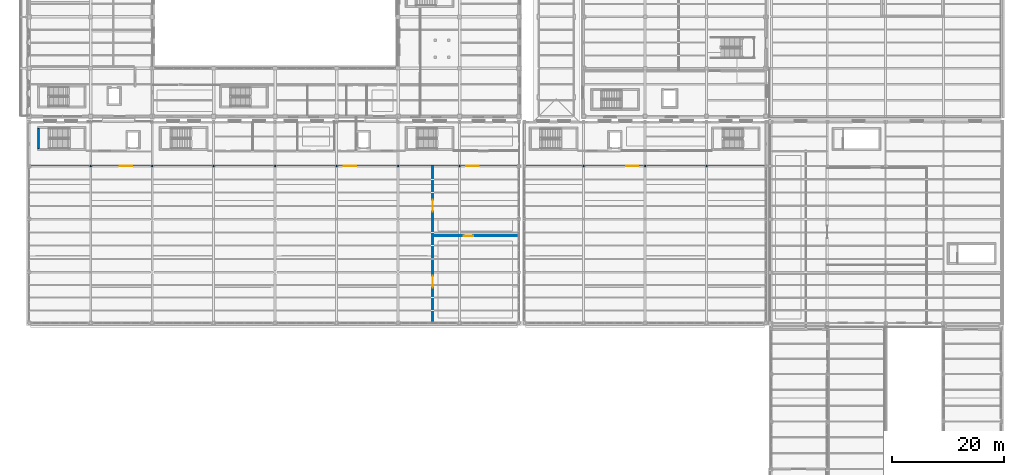
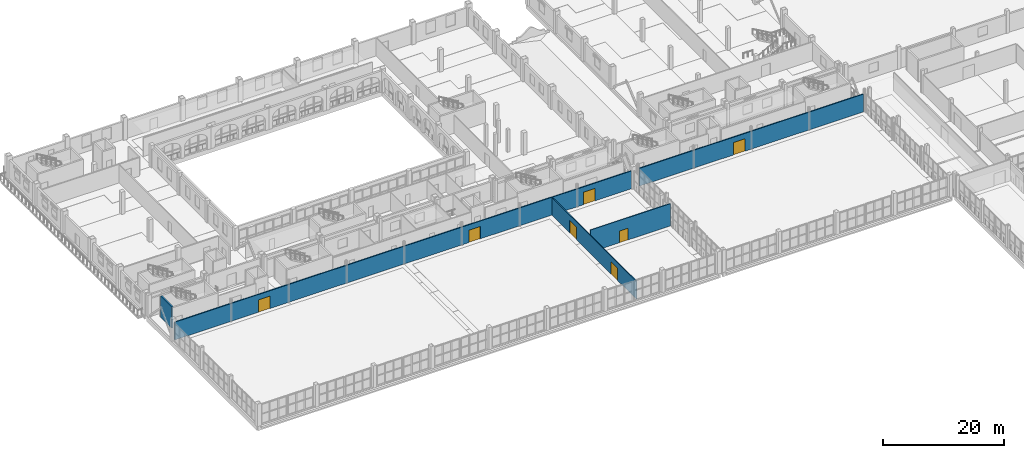
# One storey, part 120 of 156: 7 doors, 5 walls, 7 openings.
"""IFC4 building model written with IfcOpenShell, lengths in metres."""

from ifc_helpers import new_model, si_unit, direction, frame, frame_2d, origin, place, context, subcontext, project, spatial, rectangle, extrude, material, layer, layer_set, type_object, element, fill, save


model = new_model("IFC4")

# Units and contexts
model_context = context("Model", 3, precision=1e-05, world=origin(), true_north=direction((0.0, 1.0)))
body_context = subcontext(model_context, "Body", "Model", "MODEL_VIEW")
ifc_project = project(units=[si_unit("LENGTHUNIT", "METRE"), si_unit("AREAUNIT", "SQUARE_METRE"), si_unit("VOLUMEUNIT", "CUBIC_METRE"), si_unit("PLANEANGLEUNIT", "RADIAN"), si_unit("MASSUNIT", "GRAM", prefix="KILO")], contexts=[model_context])

# Site, building, storey
site_placement = place(None, origin())
site = spatial("IfcSite", under=ifc_project, at=site_placement, CompositionType="ELEMENT")
building_placement = place(site_placement, origin())
building = spatial("IfcBuilding", under=site, at=building_placement, Name="Caurita Quay Ferry Terminal", CompositionType="ELEMENT")
storey_placement = place(building_placement, frame((0.0, 0.0, 5.39990234375)))
storey = spatial("IfcBuildingStorey", under=building, at=storey_placement, Name="L01", CompositionType="ELEMENT", Elevation=5.39990234375)

# Wall
ifc_material_1 = material(Name="Reinforced concrete C35/45", Category="concrete")
ifc_layer_1 = layer(ifc_material_1, 0.300048828125, Name="Interior shear wall 300 mm")
ifc_layer_set_1 = layer_set([ifc_layer_1], Name="Reinforced concrete C35/45")
wall_type_1 = type_object("IfcWallType", Name="WL-CORE-300", PredefinedType="SHEAR", material=ifc_layer_set_1)
wall_1_placement = place(storey_placement, frame((1.64990234375, 69.4599609375, 0.0), z_axis=(0.0, 0.0, 1.0), x_axis=(0.0, -1.0, 0.0)))
element("IfcWall", 1, at=wall_1_placement, inside=storey, type_object=wall_type_1, Name="L01 ST-05 Core Wall West", PredefinedType="SHEAR", context=body_context, shape_type="SweptSolid", body=[
    extrude(rectangle(XDim=3.659912109375, YDim=0.300048828125, at=frame_2d((1.830078125, 0.0))), origin(), (0.0, 0.0, 1.0), 4.280029296875),
])

# Wall, openings, doors
ifc_material_2 = material(Name="Warm-white lime stucco masonry", Category="masonry")
ifc_layer_2 = layer(ifc_material_2, 0.199951171875, Name="Interior partitioning wall 200 mm")
ifc_layer_set_2 = layer_set([ifc_layer_2], Name="Warm-white lime stucco masonry")
wall_type_2 = type_object("IfcWallType", Name="WL-CORR-200", PredefinedType="PARTITIONING", material=ifc_layer_set_2)
wall_2_placement = place(storey_placement, frame((0.259033203125, 62.699951171875, 0.0), z_axis=(0.0, 0.0, 1.0), x_axis=(1.0, 0.0, 0.0)))
wall_2 = element("IfcWall", 2, at=wall_2_placement, inside=storey, type_object=wall_type_2, Name="L01 Interior Partition IW-L01-037", PredefinedType="PARTITIONING", context=body_context, shape_type="SweptSolid", body=[
    extrude(rectangle(XDim=87.08203125, YDim=0.199951171875, at=frame_2d((43.541015625, 0.0))), origin(), (0.0, 0.0, 1.0), 3.592041015625),
])
opening_1_placement = place(wall_2_placement, frame((15.94091796875, 0.0, 0.0)))
opening_1 = element("IfcOpeningElement", 3, at=opening_1_placement, cuts=wall_2, Name="Opening ID-01", PredefinedType="OPENING", context=body_context, shape_type="SweptSolid", body=[
    extrude(rectangle(XDim=2.199951171875, YDim=2.5, at=frame_2d((1.10009765625, 1.25))), frame((0.0, 0.10986328125, 0.0), z_axis=(0.0, -1.0, 0.0), x_axis=(1.0, 0.0, 0.0)), (0.0, 0.0, 1.0), 0.219970703125),
])
opening_2_placement = place(wall_2_placement, frame((56.041015625, 0.0, 0.0)))
opening_2 = element("IfcOpeningElement", 4, at=opening_2_placement, cuts=wall_2, Name="Opening ID-01", PredefinedType="OPENING", context=body_context, shape_type="SweptSolid", body=[
    extrude(rectangle(XDim=2.199951171875, YDim=2.5, at=frame_2d((1.10009765625, 1.25))), frame((0.0, 0.10986328125, 0.0), z_axis=(0.0, -1.0, 0.0), x_axis=(1.0, 0.0, 0.0)), (0.0, 0.0, 1.0), 0.219970703125),
])
opening_3_placement = place(wall_2_placement, frame((77.94091796875, 0.0, 0.0)))
opening_3 = element("IfcOpeningElement", 5, at=opening_3_placement, cuts=wall_2, Name="Opening ID-01", PredefinedType="OPENING", context=body_context, shape_type="SweptSolid", body=[
    extrude(rectangle(XDim=2.199951171875, YDim=2.5, at=frame_2d((1.10009765625, 1.25))), frame((0.0, 0.10986328125, 0.0), z_axis=(0.0, -1.0, 0.0), x_axis=(1.0, 0.0, 0.0)), (0.0, 0.0, 1.0), 0.219970703125),
])
ifc_material_3 = material(Name="Anodized aluminium 6063-T6", Category="aluminium")
door_type_1 = type_object("IfcDoorType", Name="DR-HALL-2200", OperationType="NOTDEFINED", PredefinedType="DOOR", material=ifc_material_3)
door_1_placement = place(opening_1_placement, origin())
door_1 = element("IfcDoor", 6, at=door_1_placement, inside=storey, type_object=door_type_1, Name="Main Concourse Corridor Portal", OperationType="SINGLE_SWING_LEFT", OverallHeight=2.5, OverallWidth=2.199951171875, PredefinedType="DOOR", context=body_context, shape_type="SweptSolid", body=[
    extrude(rectangle(XDim=2.199951171875, YDim=2.5, at=frame_2d((1.10009765625, 1.25))), frame((0.0, 0.02490234375, 0.0), z_axis=(0.0, -1.0, 0.0), x_axis=(1.0, 0.0, 0.0)), (0.0, 0.0, 1.0), 0.050048828125),
])
fill(opening_1, door_1)
door_2_placement = place(opening_2_placement, frame((2.199951171875, 0.0, 0.0), z_axis=(0.0, 0.0, 1.0), x_axis=(-1.0, 0.0, 0.0)))
door_2 = element("IfcDoor", 7, at=door_2_placement, inside=storey, type_object=door_type_1, Name="Waiting Lounge Corridor Portal", OperationType="SINGLE_SWING_RIGHT", OverallHeight=2.5, OverallWidth=2.199951171875, PredefinedType="DOOR", context=body_context, shape_type="SweptSolid", body=[
    extrude(rectangle(XDim=2.199951171875, YDim=2.5, at=frame_2d((1.10009765625, 1.25))), frame((0.0, 0.02490234375, 0.0), z_axis=(0.0, -1.0, 0.0), x_axis=(1.0, 0.0, 0.0)), (0.0, 0.0, 1.0), 0.050048828125),
])
fill(opening_2, door_2)
door_3_placement = place(opening_3_placement, origin())
door_3 = element("IfcDoor", 8, at=door_3_placement, inside=storey, type_object=door_type_1, Name="MARSEC Screening North Portal", OperationType="SINGLE_SWING_LEFT", OverallHeight=2.5, OverallWidth=2.199951171875, PredefinedType="DOOR", context=body_context, shape_type="SweptSolid", body=[
    extrude(rectangle(XDim=2.199951171875, YDim=2.5, at=frame_2d((1.10009765625, 1.25))), frame((0.0, 0.02490234375, 0.0), z_axis=(0.0, -1.0, 0.0), x_axis=(1.0, 0.0, 0.0)), (0.0, 0.0, 1.0), 0.050048828125),
])
fill(opening_3, door_3)

# Wall, opening, door
wall_3_placement = place(storey_placement, frame((88.85888671875, 62.699951171875, 0.0), z_axis=(0.0, 0.0, 1.0), x_axis=(1.0, 0.0, 0.0)))
wall_3 = element("IfcWall", 9, at=wall_3_placement, inside=storey, type_object=wall_type_2, Name="L01 Interior Partition IW-L01-048", PredefinedType="PARTITIONING", context=body_context, shape_type="SweptSolid", body=[
    extrude(rectangle(XDim=42.68212890625, YDim=0.199951171875, at=frame_2d((21.341064453125, 0.0))), origin(), (0.0, 0.0, 1.0), 3.592041015625),
])
opening_4_placement = place(wall_3_placement, frame((17.94091796875, 0.0, 0.0)))
opening_4 = element("IfcOpeningElement", 10, at=opening_4_placement, cuts=wall_3, Name="Opening ID-01", PredefinedType="OPENING", context=body_context, shape_type="SweptSolid", body=[
    extrude(rectangle(XDim=2.199951171875, YDim=2.5, at=frame_2d((1.10009765625, 1.25))), frame((0.0, 0.10986328125, 0.0), z_axis=(0.0, -1.0, 0.0), x_axis=(1.0, 0.0, 0.0)), (0.0, 0.0, 1.0), 0.219970703125),
])
door_4_placement = place(opening_4_placement, frame((2.199951171875, 0.0, 0.0), z_axis=(0.0, 0.0, 1.0), x_axis=(-1.0, 0.0, 0.0)))
door_4 = element("IfcDoor", 11, at=door_4_placement, inside=storey, type_object=door_type_1, Name="Immigration Hall Corridor Portal", OperationType="SINGLE_SWING_RIGHT", OverallHeight=2.5, OverallWidth=2.199951171875, PredefinedType="DOOR", context=body_context, shape_type="SweptSolid", body=[
    extrude(rectangle(XDim=2.199951171875, YDim=2.5, at=frame_2d((1.10009765625, 1.25))), frame((0.0, 0.02490234375, 0.0), z_axis=(0.0, -1.0, 0.0), x_axis=(1.0, 0.0, 0.0)), (0.0, 0.0, 1.0), 0.050048828125),
])
fill(opening_4, door_4)

ifc_material_4 = material(Name="Gypsum board partition", Category="masonry")
ifc_layer_3 = layer(ifc_material_4, 0.14501953125, Name="Interior partitioning wall 145 mm")
ifc_layer_set_3 = layer_set([ifc_layer_3], Name="Gypsum board partition")
wall_type_3 = type_object("IfcWallType", Name="WL-PART-145", PredefinedType="PARTITIONING", material=ifc_layer_set_3)
wall_4_placement = place(storey_placement, frame((72.284912109375, 50.199951171875, 0.0), z_axis=(0.0, 0.0, 1.0), x_axis=(1.0, 0.0, 0.0)))
wall_4 = element("IfcWall", 12, at=wall_4_placement, inside=storey, type_object=wall_type_3, Name="L01 Interior Partition IW-L01-039", PredefinedType="PARTITIONING", context=body_context, shape_type="SweptSolid", body=[
    extrude(rectangle(XDim=15.22998046875, YDim=0.14501953125, at=frame_2d((7.614990234375, 0.0))), origin(), (0.0, 0.0, 1.0), 4.5),
])
opening_5_placement = place(wall_4_placement, frame((5.5048828125, 0.0, 0.0)))
opening_5 = element("IfcOpeningElement", 13, at=opening_5_placement, cuts=wall_4, Name="Opening ID-03", PredefinedType="OPENING", context=body_context, shape_type="SweptSolid", body=[
    extrude(rectangle(XDim=1.699951171875, YDim=2.35009765625, at=frame_2d((0.85009765625, 1.175048828125))), frame((0.0, 0.08251953125, 0.0), z_axis=(0.0, -1.0, 0.0), x_axis=(1.0, 0.0, 0.0)), (0.0, 0.0, 1.0), 0.1650390625),
])
ifc_material_5 = material(Name="Tropical mahogany hardwood", Category="wood")
door_type_2 = type_object("IfcDoorType", Name="DR-CONC-1700", OperationType="NOTDEFINED", PredefinedType="DOOR", material=ifc_material_5)
door_5_placement = place(opening_5_placement, frame((1.699951171875, 0.0, 0.0), z_axis=(0.0, 0.0, 1.0), x_axis=(-1.0, 0.0, 0.0)))
door_5 = element("IfcDoor", 14, at=door_5_placement, inside=storey, type_object=door_type_2, Name="Screening to Cafe Staff Link Door", OperationType="SINGLE_SWING_RIGHT", OverallHeight=2.35009765625, OverallWidth=1.699951171875, PredefinedType="DOOR", context=body_context, shape_type="SweptSolid", body=[
    extrude(rectangle(XDim=1.699951171875, YDim=2.35009765625, at=frame_2d((0.85009765625, 1.175048828125))), frame((0.0, 0.02490234375, 0.0), z_axis=(0.0, -1.0, 0.0), x_axis=(1.0, 0.0, 0.0)), (0.0, 0.0, 1.0), 0.050048828125),
])
fill(opening_5, door_5)

# Wall, openings, doors
ifc_layer_4 = layer(ifc_material_4, 0.159912109375, Name="Interior partitioning wall 160 mm")
ifc_layer_set_4 = layer_set([ifc_layer_4], Name="Gypsum board partition")
wall_type_4 = type_object("IfcWallType", Name="WL-PART-160", PredefinedType="PARTITIONING", material=ifc_layer_set_4)
wall_5_placement = place(storey_placement, frame((72.199951171875, 34.68505859375, 0.0), z_axis=(0.0, 0.0, 1.0), x_axis=(0.0, 1.0, 0.0)))
wall_5 = element("IfcWall", 15, at=wall_5_placement, inside=storey, type_object=wall_type_4, Name="L01 Interior Partition IW-L01-038", PredefinedType="PARTITIONING", context=body_context, shape_type="SweptSolid", body=[
    extrude(rectangle(XDim=27.909912109375, YDim=0.159912109375, at=frame_2d((13.955078125, 0.0))), origin(), (0.0, 0.0, 1.0), 3.592041015625),
])
opening_6_placement = place(wall_5_placement, frame((6.215087890625, 0.0, 0.0)))
opening_6 = element("IfcOpeningElement", 16, at=opening_6_placement, cuts=wall_5, Name="Opening ID-01", PredefinedType="OPENING", context=body_context, shape_type="SweptSolid", body=[
    extrude(rectangle(XDim=2.199951171875, YDim=2.5, at=frame_2d((1.10009765625, 1.25))), frame((0.0, 0.08984375, 0.0), z_axis=(0.0, -1.0, 0.0), x_axis=(1.0, 0.0, 0.0)), (0.0, 0.0, 1.0), 0.179931640625),
])
opening_7_placement = place(wall_5_placement, frame((19.81494140625, 0.0, 0.0)))
opening_7 = element("IfcOpeningElement", 17, at=opening_7_placement, cuts=wall_5, Name="Opening ID-01", PredefinedType="OPENING", context=body_context, shape_type="SweptSolid", body=[
    extrude(rectangle(XDim=2.199951171875, YDim=2.5, at=frame_2d((1.10009765625, 1.25))), frame((0.0, 0.08984375, 0.0), z_axis=(0.0, -1.0, 0.0), x_axis=(1.0, 0.0, 0.0)), (0.0, 0.0, 1.0), 0.179931640625),
])
door_6_placement = place(opening_6_placement, frame((2.199951171875, 0.0, 0.0), z_axis=(0.0, 0.0, 1.0), x_axis=(-1.0, 0.0, 0.0)))
door_6 = element("IfcDoor", 18, at=door_6_placement, inside=storey, type_object=door_type_1, Name="Gulf Harbour Cafe Concourse Entry", OperationType="SINGLE_SWING_RIGHT", OverallHeight=2.5, OverallWidth=2.199951171875, PredefinedType="DOOR", context=body_context, shape_type="SweptSolid", body=[
    extrude(rectangle(XDim=2.199951171875, YDim=2.5, at=frame_2d((1.10009765625, 1.25))), frame((0.0, 0.02490234375, 0.0), z_axis=(0.0, -1.0, 0.0), x_axis=(1.0, 0.0, 0.0)), (0.0, 0.0, 1.0), 0.050048828125),
])
fill(opening_6, door_6)
door_7_placement = place(opening_7_placement, origin())
door_7 = element("IfcDoor", 19, at=door_7_placement, inside=storey, type_object=door_type_1, Name="MARSEC Screening Concourse Portal", OperationType="SINGLE_SWING_LEFT", OverallHeight=2.5, OverallWidth=2.199951171875, PredefinedType="DOOR", context=body_context, shape_type="SweptSolid", body=[
    extrude(rectangle(XDim=2.199951171875, YDim=2.5, at=frame_2d((1.10009765625, 1.25))), frame((0.0, 0.02490234375, 0.0), z_axis=(0.0, -1.0, 0.0), x_axis=(1.0, 0.0, 0.0)), (0.0, 0.0, 1.0), 0.050048828125),
])
fill(opening_7, door_7)

save(model, "model.ifc")
